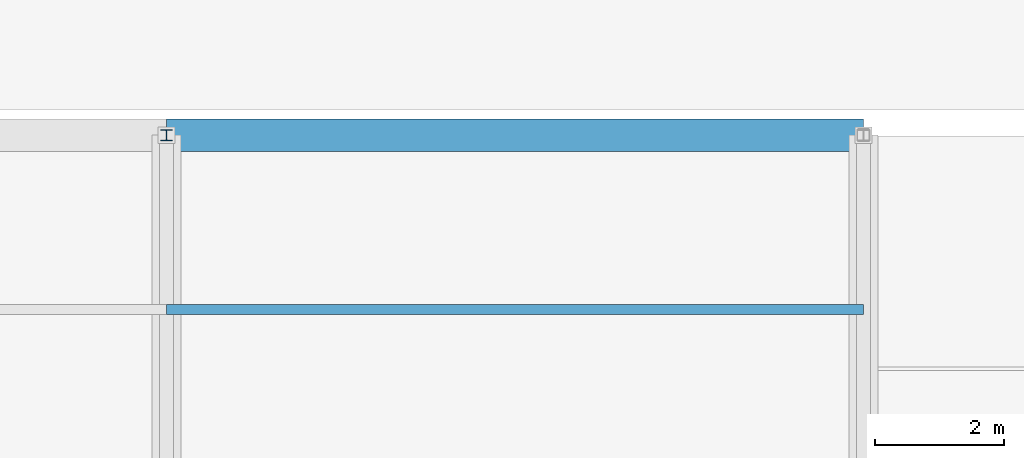
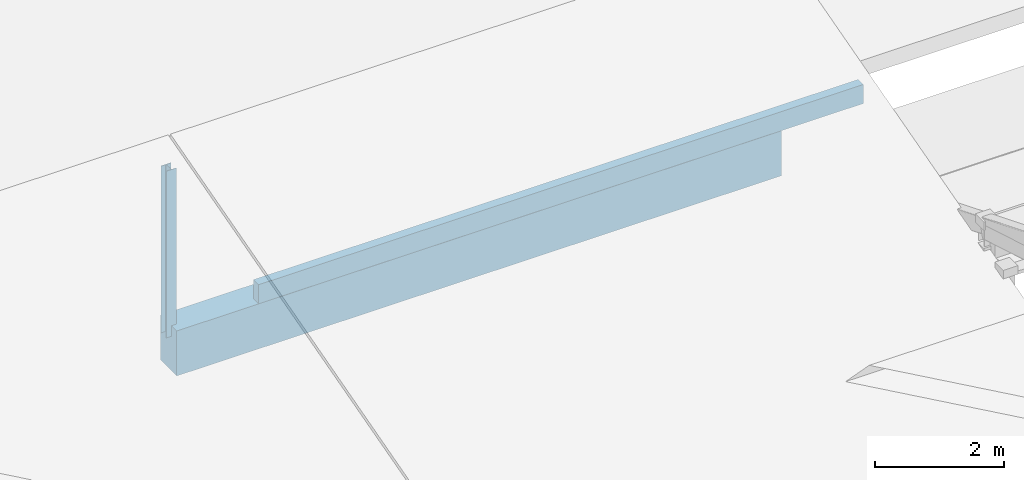
# One storey, part 38 of 112: 2 members, 1 beam.
"""IFC4 building model written with IfcOpenShell, lengths in metres."""

from ifc_helpers import new_model, si_unit, direction, frame, origin, origin_2d, place, context, subcontext, project, spatial, rectangle, i_section, extrude, material, material_profile, profile_set, type_object, element, save


model = new_model("IFC4")

# Units and contexts
model_context = context("Model", 3, precision=1e-05, world=origin(), true_north=direction((0.0, 1.0)))
body_context = subcontext(model_context, "Body", "Model", "MODEL_VIEW")
ifc_project = project(units=[si_unit("LENGTHUNIT", "METRE"), si_unit("AREAUNIT", "SQUARE_METRE"), si_unit("VOLUMEUNIT", "CUBIC_METRE"), si_unit("PLANEANGLEUNIT", "RADIAN"), si_unit("MASSUNIT", "GRAM", prefix="KILO")], contexts=[model_context])

# Site, building, storey
site_placement = place(None, origin())
site = spatial("IfcSite", under=ifc_project, at=site_placement, CompositionType="ELEMENT")
building_placement = place(site_placement, origin())
building = spatial("IfcBuilding", under=site, at=building_placement, Name="Zwinboog Wholesale Market", CompositionType="ELEMENT")
storey_placement = place(building_placement, frame((0.0, 0.0, 19.080078125)))
storey = spatial("IfcBuildingStorey", under=building, at=storey_placement, Name="Roof", CompositionType="ELEMENT", Elevation=19.080078125)

# Beam
ifc_material_1 = material(Name="Precast concrete C45/55", Category="concrete")
ifc_material_profile_1 = material_profile(ifc_material_1, rectangle(XDim=0.5, YDim=0.85009765625, at=origin_2d()), Name="PC 500x850")
ifc_profile_set_1 = profile_set([ifc_material_profile_1], Name="Precast concrete C45/55")
beam_type = type_object("IfcBeamType", Name="BT-03", PredefinedType="BEAM", material=ifc_profile_set_1)
beam_placement = place(storey_placement, frame((54.0, 108.0, -9.425048828125), z_axis=(1.0, 0.0, 0.0), x_axis=(0.0, 1.0, 0.0)))
element("IfcBeam", 1, at=beam_placement, inside=storey, type_object=beam_type, Name="BG-03 (BMG-Roof-0540-1080-1200)", PredefinedType="BEAM", context=body_context, shape_type="SweptSolid", body=[
    extrude(rectangle(XDim=0.5, YDim=0.85009765625, at=origin_2d()), origin(), (0.0, 0.0, 1.0), 10.800048828125),
])

# Members
ifc_material_2 = material(Name="Steel S355", Category="steel")
ifc_material_profile_2 = material_profile(ifc_material_2, i_section(OverallWidth=0.179931640625, OverallDepth=0.1708984375, WebThickness=0.006103515625, FlangeThickness=0.009521484375, FilletRadius=0.014892578125, at=origin_2d()), Name="HEA 180")
ifc_profile_set_2 = profile_set([ifc_material_profile_2], Name="Steel S355")
member_type_1 = type_object("IfcMemberType", Name="MT-07", PredefinedType="BRACE", material=ifc_profile_set_2)
member_1_placement = place(storey_placement, frame((54.0, 108.0, -9.2001953125), z_axis=(0.0, 0.0, 1.0), x_axis=(1.0, 0.0, 0.0)))
element("IfcMember", 2, at=member_1_placement, inside=storey, type_object=member_type_1, Name="DB-04 (MEM-Roof-0878)", PredefinedType="BRACE", context=body_context, shape_type="SweptSolid", body=[
    extrude(i_section(OverallWidth=0.179931640625, OverallDepth=0.1708984375, WebThickness=0.006103515625, FlangeThickness=0.009521484375, FilletRadius=0.014892578125, at=origin_2d()), origin(), (0.0, 0.0, 1.0), 3.14697265625),
])
ifc_material_3 = material(Name="Glulam GL28h", Category="wood")
ifc_material_profile_3 = material_profile(ifc_material_3, rectangle(XDim=0.159912109375, YDim=0.360107421875, at=origin_2d()), Name="GL28h 160x360")
ifc_profile_set_3 = profile_set([ifc_material_profile_3], Name="Glulam GL28h")
member_type_2 = type_object("IfcMemberType", Name="MT-12", PredefinedType="PURLIN", material=ifc_profile_set_3)
member_2_placement = place(storey_placement, frame((54.0, 105.300048828125, -6.773193359375), z_axis=(1.0, 0.0, 0.0), x_axis=(0.0, 1.0, 0.0)))
element("IfcMember", 3, at=member_2_placement, inside=storey, type_object=member_type_2, Name="GP-01 (MEM-Roof-0883)", PredefinedType="PURLIN", context=body_context, shape_type="SweptSolid", body=[
    extrude(rectangle(XDim=0.159912109375, YDim=0.360107421875, at=origin_2d()), origin(), (0.0, 0.0, 1.0), 10.800048828125),
])

save(model, "model.ifc")
